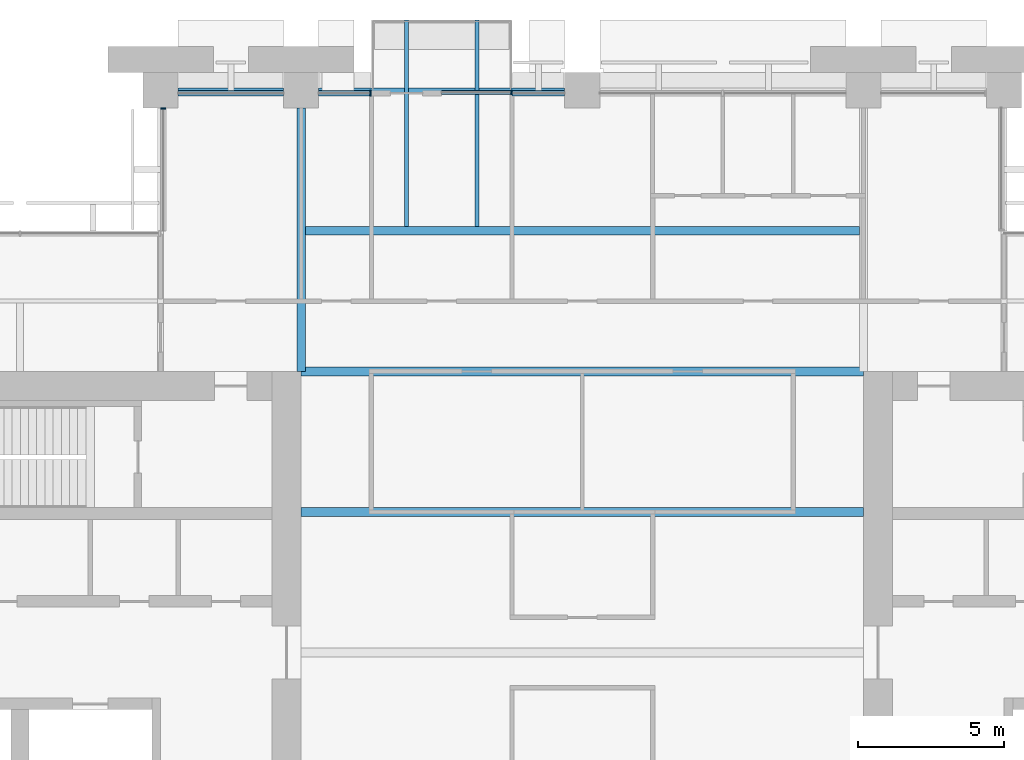
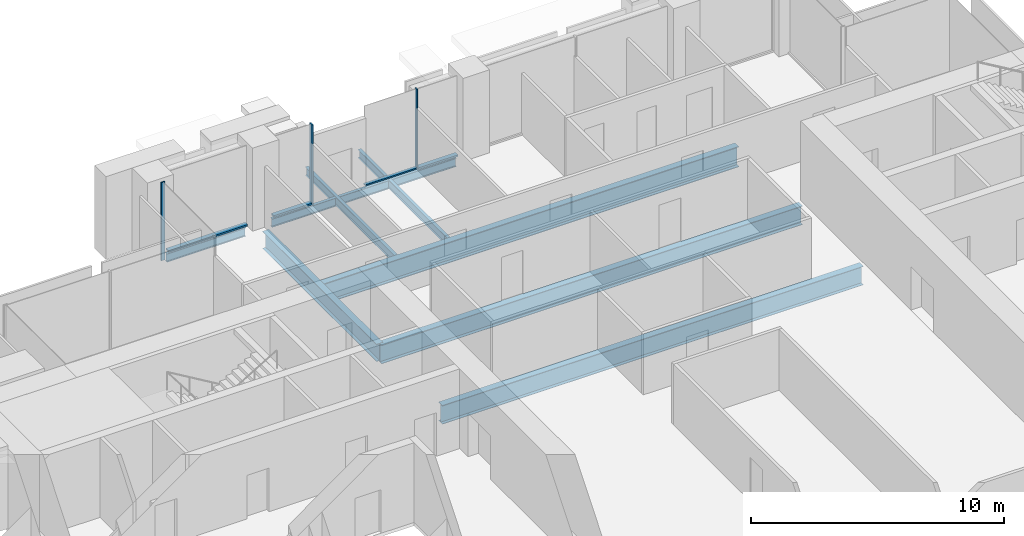
# One storey, part 6 of 15: 10 beams, 7 members, 4 elements without a shape of their own.
"""IFC4 building model written with IfcOpenShell, lengths in metres."""

from ifc_helpers import new_model, si_unit, direction, frame, origin, origin_2d, place, context, subcontext, project, spatial, rectangle, i_section, extrude, material, material_profile, profile_set, type_object, element, aggregate, save


model = new_model("IFC4")

# Units and contexts
model_context = context("Model", 3, precision=1e-05, world=origin(), true_north=direction((0.0, 1.0)))
body_context = subcontext(model_context, "Body", "Model", "MODEL_VIEW")
ifc_project = project(units=[si_unit("LENGTHUNIT", "METRE"), si_unit("AREAUNIT", "SQUARE_METRE"), si_unit("VOLUMEUNIT", "CUBIC_METRE"), si_unit("PLANEANGLEUNIT", "RADIAN"), si_unit("MASSUNIT", "GRAM", prefix="KILO")], contexts=[model_context])

# Site, building, storey
site_placement = place(None, origin())
site = spatial("IfcSite", under=ifc_project, at=site_placement, CompositionType="ELEMENT")
building_placement = place(site_placement, origin())
building = spatial("IfcBuilding", under=site, at=building_placement, Name="Baori Bourse Tower", CompositionType="ELEMENT")
storey_placement = place(building_placement, frame((0.0, 0.0, 152.10009765625)))
storey = spatial("IfcBuildingStorey", under=building, at=storey_placement, Name="L33", CompositionType="ELEMENT", Elevation=152.10009765625)

# Beams
ifc_material_1 = material(Name="Steel A992 Gr 50", Category="steel")
ifc_material_profile_1 = material_profile(ifc_material_1, i_section(OverallWidth=0.140380859375, OverallDepth=0.40380859375, WebThickness=0.007080078125, FlangeThickness=0.01123046875, at=origin_2d()), Name="W16x31")
ifc_profile_set_1 = profile_set([ifc_material_profile_1], Name="Steel A992 Gr 50")
beam_type_1 = type_object("IfcBeamType", Name="Balcony beam W16x31", PredefinedType="BEAM", material=ifc_profile_set_1)
for number, where, z_axis, x_axis, name in (
    (1, (22.800048828125, 50.39990234375, -0.362060546875), (0.0, -1.0, 0.0), (1.0, 0.0, 0.0), "Balcony beam L33"),
    (2, (25.199951171875, 50.39990234375, -0.362060546875), (0.0, -1.0, 0.0), (1.0, 0.0, 0.0), "Balcony beam L33"),
):
    element("IfcBeam", number, at=place(storey_placement, frame(where, z_axis=z_axis, x_axis=x_axis)), inside=storey, type_object=beam_type_1, Name=name, PredefinedType="BEAM", context=body_context, shape_type="SweptSolid", body=[
        extrude(i_section(OverallWidth=0.140380859375, OverallDepth=0.40380859375, WebThickness=0.007080078125, FlangeThickness=0.01123046875, at=origin_2d()), origin(), (0.0, 0.0, 1.0), 7.050048828125),
    ])

# Curtain wall, member
ifc_material_2 = material(Name="Pale anodised aluminium", Category="aluminium")
curtain_wall_type_1 = type_object("IfcCurtainWallType", Name="CW1 Curtain wall", PredefinedType="NOTDEFINED", material=ifc_material_2)
curtain_wall_1_placement = place(storey_placement, origin())
curtain_wall_1 = element("IfcCurtainWall", 3, at=curtain_wall_1_placement, inside=storey, type_object=curtain_wall_type_1, Name="Curtain wall CW1 L33 6", PredefinedType="NOTDEFINED")
ifc_material_3 = material(Name="Pale anodised aluminium", Category="aluminium")
ifc_material_profile_2 = material_profile(ifc_material_3, rectangle(XDim=0.199951171875, YDim=0.06005859375, at=origin_2d()), Name="Mullion 60x200")
ifc_profile_set_2 = profile_set([ifc_material_profile_2], Name="Pale anodised aluminium")
member_type_1 = type_object("IfcMemberType", Name="CW1 Curtain wall mullion", PredefinedType="MULLION", material=ifc_profile_set_2)
member_1_placement = place(storey_placement, frame((21.570068359375, 47.89990234375, 0.079833984375), z_axis=(0.0, 0.0, 1.0), x_axis=(0.0, -1.0, 0.0)))
member_1 = element("IfcMember", 4, at=member_1_placement, type_object=member_type_1, Name="Curtain wall CW1 mullion", PredefinedType="MULLION", context=body_context, shape_type="SweptSolid", body=[
    extrude(rectangle(XDim=0.199951171875, YDim=0.06005859375, at=origin_2d()), origin(), (0.0, 0.0, 1.0), 3.760009765625),
])

curtain_wall_2_placement = place(storey_placement, origin())
curtain_wall_2 = element("IfcCurtainWall", 5, at=curtain_wall_2_placement, inside=storey, type_object=curtain_wall_type_1, Name="Curtain wall CW1 L33 4", PredefinedType="NOTDEFINED")
ifc_material_4 = material(Name="Pale anodised aluminium", Category="aluminium")
ifc_material_profile_3 = material_profile(ifc_material_4, rectangle(XDim=0.199951171875, YDim=0.080078125, at=origin_2d()), Name="Transom 80x200")
ifc_profile_set_3 = profile_set([ifc_material_profile_3], Name="Pale anodised aluminium")
member_type_2 = type_object("IfcMemberType", Name="CW1 Curtain wall transom", PredefinedType="USERDEFINED", material=ifc_profile_set_3)
member_2_placement = place(storey_placement, frame((28.199951171875, 47.89990234375, 0.039794921875), z_axis=(-1.0, 0.0, 0.0), x_axis=(0.0, -1.0, 0.0)))
member_2 = element("IfcMember", 6, at=member_2_placement, type_object=member_type_2, Name="Curtain wall CW1 sill rail", ObjectType="TRANSOM", PredefinedType="USERDEFINED", context=body_context, shape_type="SweptSolid", body=[
    extrude(rectangle(XDim=0.199951171875, YDim=0.080078125, at=origin_2d()), origin(), (0.0, 0.0, 1.0), 1.800048828125),
])
aggregate(curtain_wall_2, [member_2])

# Member
member_3_placement = place(storey_placement, frame((21.60009765625, 47.89990234375, 0.039794921875), z_axis=(-1.0, 0.0, 0.0), x_axis=(0.0, -1.0, 0.0)))
member_3 = element("IfcMember", 7, at=member_3_placement, type_object=member_type_2, Name="Curtain wall CW1 sill rail", ObjectType="TRANSOM", PredefinedType="USERDEFINED", context=body_context, shape_type="SweptSolid", body=[
    extrude(rectangle(XDim=0.199951171875, YDim=0.080078125, at=origin_2d()), origin(), (0.0, 0.0, 1.0), 1.800048828125),
])

member_4_placement = place(storey_placement, frame((18.60009765625, 47.89990234375, 0.039794921875), z_axis=(-1.0, 0.0, 0.0), x_axis=(0.0, -1.0, 0.0)))
member_4 = element("IfcMember", 8, at=member_4_placement, type_object=member_type_2, Name="Curtain wall CW1 sill rail", ObjectType="TRANSOM", PredefinedType="USERDEFINED", context=body_context, shape_type="SweptSolid", body=[
    extrude(rectangle(XDim=0.199951171875, YDim=0.080078125, at=origin_2d()), origin(), (0.0, 0.0, 1.0), 3.60009765625),
])

aggregate(curtain_wall_1, [member_3, member_1, member_4])

# Curtain wall, member
ifc_material_5 = material(Name="Pale anodised aluminium", Category="aluminium")
curtain_wall_type_2 = type_object("IfcCurtainWallType", Name="CW2 Curtain wall", PredefinedType="NOTDEFINED", material=ifc_material_5)
curtain_wall_3_placement = place(storey_placement, origin())
curtain_wall_3 = element("IfcCurtainWall", 9, at=curtain_wall_3_placement, inside=storey, type_object=curtain_wall_type_2, Name="Curtain wall CW2 L33 7", PredefinedType="NOTDEFINED")
ifc_material_6 = material(Name="Pale anodised aluminium", Category="aluminium")
ifc_material_profile_4 = material_profile(ifc_material_6, rectangle(XDim=0.179931640625, YDim=0.054931640625, at=origin_2d()), Name="Mullion 55x180")
ifc_profile_set_4 = profile_set([ifc_material_profile_4], Name="Pale anodised aluminium")
member_type_3 = type_object("IfcMemberType", Name="CW2 Curtain wall mullion", PredefinedType="MULLION", material=ifc_profile_set_4)
member_5_placement = place(storey_placement, frame((14.489990234375, 47.37255859375, 0.06982421875), z_axis=(0.0, 0.0, 1.0), x_axis=(1.0, 0.0, 0.0)))
member_5 = element("IfcMember", 10, at=member_5_placement, type_object=member_type_3, Name="Curtain wall CW2 mullion", PredefinedType="MULLION", context=body_context, shape_type="SweptSolid", body=[
    extrude(rectangle(XDim=0.179931640625, YDim=0.054931640625, at=origin_2d()), origin(), (0.0, 0.0, 1.0), 3.77001953125),
])
aggregate(curtain_wall_3, [member_5])

# Curtain wall, members
ifc_material_7 = material(Name="Pale anodised aluminium", Category="aluminium")
curtain_wall_type_3 = type_object("IfcCurtainWallType", Name="CW6 Curtain wall", PredefinedType="NOTDEFINED", material=ifc_material_7)
curtain_wall_4_placement = place(storey_placement, origin())
curtain_wall_4 = element("IfcCurtainWall", 11, at=curtain_wall_4_placement, inside=storey, type_object=curtain_wall_type_3, Name="Curtain wall CW6 L33 5", PredefinedType="NOTDEFINED")
ifc_material_8 = material(Name="Pale anodised aluminium", Category="aluminium")
ifc_material_profile_5 = material_profile(ifc_material_8, rectangle(XDim=0.14990234375, YDim=0.050048828125, at=origin_2d()), Name="Mullion 50x150")
ifc_profile_set_5 = profile_set([ifc_material_profile_5], Name="Pale anodised aluminium")
member_type_4 = type_object("IfcMemberType", Name="CW6 Curtain wall mullion", PredefinedType="MULLION", material=ifc_profile_set_5)
member_6_placement = place(storey_placement, frame((26.375, 47.925048828125, 0.06494140625), z_axis=(0.0, 0.0, 1.0), x_axis=(0.0, -1.0, 0.0)))
member_6 = element("IfcMember", 12, at=member_6_placement, type_object=member_type_4, Name="Curtain wall CW6 mullion", PredefinedType="MULLION", context=body_context, shape_type="SweptSolid", body=[
    extrude(rectangle(XDim=0.14990234375, YDim=0.050048828125, at=origin_2d()), origin(), (0.0, 0.0, 1.0), 3.77490234375),
])
ifc_material_9 = material(Name="Pale anodised aluminium", Category="aluminium")
ifc_material_profile_6 = material_profile(ifc_material_9, rectangle(XDim=0.14990234375, YDim=0.06494140625, at=origin_2d()), Name="Transom 65x150")
ifc_profile_set_6 = profile_set([ifc_material_profile_6], Name="Pale anodised aluminium")
member_type_5 = type_object("IfcMemberType", Name="CW6 Curtain wall transom", PredefinedType="USERDEFINED", material=ifc_profile_set_6)
member_7_placement = place(storey_placement, frame((26.39990234375, 47.925048828125, 0.032470703125), z_axis=(-1.0, 0.0, 0.0), x_axis=(0.0, -1.0, 0.0)))
member_7 = element("IfcMember", 13, at=member_7_placement, type_object=member_type_5, Name="Curtain wall CW6 sill rail", ObjectType="TRANSOM", PredefinedType="USERDEFINED", context=body_context, shape_type="SweptSolid", body=[
    extrude(rectangle(XDim=0.14990234375, YDim=0.06494140625, at=origin_2d()), origin(), (0.0, 0.0, 1.0), 2.39990234375),
])
aggregate(curtain_wall_4, [member_7, member_6])

# Beams
ifc_material_10 = material(Name="Steel A992 Gr 50", Category="steel")
ifc_material_profile_7 = material_profile(ifc_material_10, i_section(OverallWidth=0.140380859375, OverallDepth=0.40380859375, WebThickness=0.007080078125, FlangeThickness=0.01123046875, at=origin_2d()), Name="W16x31")
ifc_profile_set_7 = profile_set([ifc_material_profile_7], Name="Steel A992 Gr 50")
beam_type_2 = type_object("IfcBeamType", Name="Edge beam W16x31", PredefinedType="BEAM", material=ifc_profile_set_7)
beam_1_placement = place(storey_placement, frame((15.0, 48.0, -0.362060546875), z_axis=(1.0, 0.0, 0.0), x_axis=(0.0, 1.0, 0.0)))
element("IfcBeam", 14, at=beam_1_placement, inside=storey, type_object=beam_type_2, Name="Edge beam L33", PredefinedType="BEAM", context=body_context, shape_type="SweptSolid", body=[
    extrude(i_section(OverallWidth=0.140380859375, OverallDepth=0.40380859375, WebThickness=0.007080078125, FlangeThickness=0.01123046875, at=origin_2d()), origin(), (0.0, 0.0, 1.0), 3.60009765625),
])
beam_2_placement = place(storey_placement, frame((19.800048828125, 48.0, -0.362060546875), z_axis=(1.0, 0.0, 0.0), x_axis=(0.0, 1.0, 0.0)))
element("IfcBeam", 15, at=beam_2_placement, inside=storey, type_object=beam_type_2, Name="Edge beam L33", PredefinedType="BEAM", context=body_context, shape_type="SweptSolid", body=[
    extrude(i_section(OverallWidth=0.140380859375, OverallDepth=0.40380859375, WebThickness=0.007080078125, FlangeThickness=0.01123046875, at=origin_2d()), origin(), (0.0, 0.0, 1.0), 2.9296875),
])
beam_3_placement = place(storey_placement, frame((22.8701171875, 48.0, -0.362060546875), z_axis=(1.0, 0.0, 0.0), x_axis=(0.0, 1.0, 0.0)))
element("IfcBeam", 16, at=beam_3_placement, inside=storey, type_object=beam_type_2, Name="Edge beam L33", PredefinedType="BEAM", context=body_context, shape_type="SweptSolid", body=[
    extrude(i_section(OverallWidth=0.140380859375, OverallDepth=0.40380859375, WebThickness=0.007080078125, FlangeThickness=0.01123046875, at=origin_2d()), origin(), (0.0, 0.0, 1.0), 2.259765625),
])
beam_4_placement = place(storey_placement, frame((25.270263671875, 48.0, -0.362060546875), z_axis=(1.0, 0.0, 0.0), x_axis=(0.0, 1.0, 0.0)))
element("IfcBeam", 17, at=beam_4_placement, inside=storey, type_object=beam_type_2, Name="Edge beam L33", PredefinedType="BEAM", context=body_context, shape_type="SweptSolid", body=[
    extrude(i_section(OverallWidth=0.140380859375, OverallDepth=0.40380859375, WebThickness=0.007080078125, FlangeThickness=0.01123046875, at=origin_2d()), origin(), (0.0, 0.0, 1.0), 2.9296875),
])
ifc_material_11 = material(Name="Steel A992 Gr 50", Category="steel")
ifc_material_profile_8 = material_profile(ifc_material_11, i_section(OverallWidth=0.3046875, OverallDepth=0.904296875, WebThickness=0.01513671875, FlangeThickness=0.02001953125, at=origin_2d()), Name="W36x135")
ifc_profile_set_8 = profile_set([ifc_material_profile_8], Name="Steel A992 Gr 50")
beam_type_3 = type_object("IfcBeamType", Name="Floor beam W36x135", PredefinedType="BEAM", material=ifc_profile_set_8)
for number, where, z_axis, x_axis, name in (
    (18, (19.199951171875, 33.60009765625, -0.6123046875), (1.0, 0.0, 0.0), (0.0, 1.0, 0.0), "Floor beam L33"),
    (19, (19.199951171875, 38.39990234375, -0.6123046875), (1.0, 0.0, 0.0), (0.0, 1.0, 0.0), "Floor beam L33"),
):
    element("IfcBeam", number, at=place(storey_placement, frame(where, z_axis=z_axis, x_axis=x_axis)), inside=storey, type_object=beam_type_3, Name=name, PredefinedType="BEAM", context=body_context, shape_type="SweptSolid", body=[
        extrude(i_section(OverallWidth=0.3046875, OverallDepth=0.904296875, WebThickness=0.01513671875, FlangeThickness=0.02001953125, at=origin_2d()), origin(), (0.0, 0.0, 1.0), 19.199951171875),
    ])
ifc_material_12 = material(Name="Steel A992 Gr 50", Category="steel")
ifc_material_profile_9 = material_profile(ifc_material_12, i_section(OverallWidth=0.2998046875, OverallDepth=0.990478515625, WebThickness=0.0166015625, FlangeThickness=0.030517578125, at=origin_2d()), Name="W40x183")
ifc_profile_set_9 = profile_set([ifc_material_profile_9], Name="Steel A992 Gr 50")
beam_type_4 = type_object("IfcBeamType", Name="Floor beam W40x183", PredefinedType="BEAM", material=ifc_profile_set_9)
beam_5_placement = place(storey_placement, frame((19.345947265625, 43.199951171875, -0.655517578125), z_axis=(1.0, 0.0, 0.0), x_axis=(0.0, 1.0, 0.0)))
element("IfcBeam", 20, at=beam_5_placement, inside=storey, type_object=beam_type_4, Name="Floor beam L33", PredefinedType="BEAM", context=body_context, shape_type="SweptSolid", body=[
    extrude(i_section(OverallWidth=0.2998046875, OverallDepth=0.990478515625, WebThickness=0.0166015625, FlangeThickness=0.030517578125, at=origin_2d()), origin(), (0.0, 0.0, 1.0), 18.920654296875),
])
ifc_material_13 = material(Name="Steel A992 Gr 50", Category="steel")
ifc_material_profile_10 = material_profile(ifc_material_13, i_section(OverallWidth=0.2919921875, OverallDepth=0.835693359375, WebThickness=0.013916015625, FlangeThickness=0.018798828125, at=origin_2d()), Name="W33x118")
ifc_profile_set_10 = profile_set([ifc_material_profile_10], Name="Steel A992 Gr 50")
beam_type_5 = type_object("IfcBeamType", Name="Girder W33x118", PredefinedType="BEAM", material=ifc_profile_set_10)
beam_6_placement = place(storey_placement, frame((19.199951171875, 38.39990234375, -0.577880859375), z_axis=(0.0, 1.0, 0.0), x_axis=(-1.0, 0.0, 0.0)))
element("IfcBeam", 21, at=beam_6_placement, inside=storey, type_object=beam_type_5, Name="Girder L33", PredefinedType="BEAM", context=body_context, shape_type="SweptSolid", body=[
    extrude(i_section(OverallWidth=0.2919921875, OverallDepth=0.835693359375, WebThickness=0.013916015625, FlangeThickness=0.018798828125, at=origin_2d()), origin(), (0.0, 0.0, 1.0), 9.0),
])

save(model, "model.ifc")
